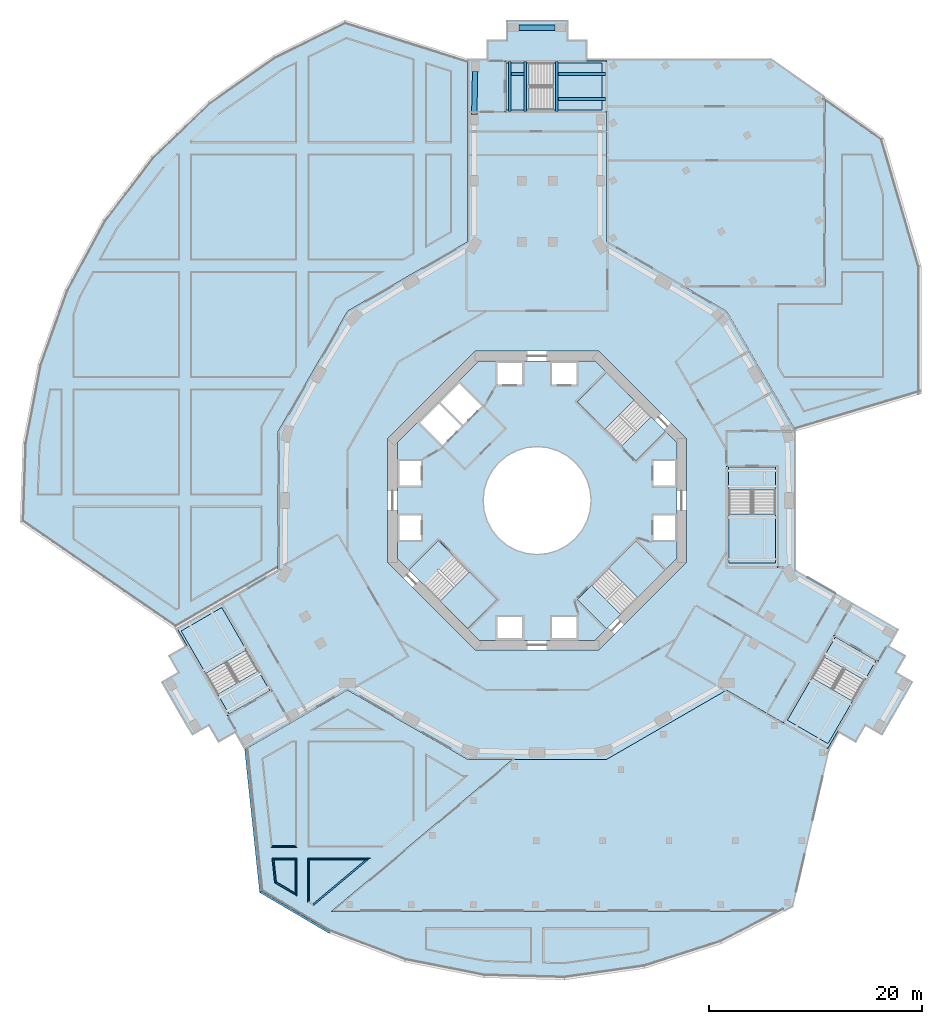
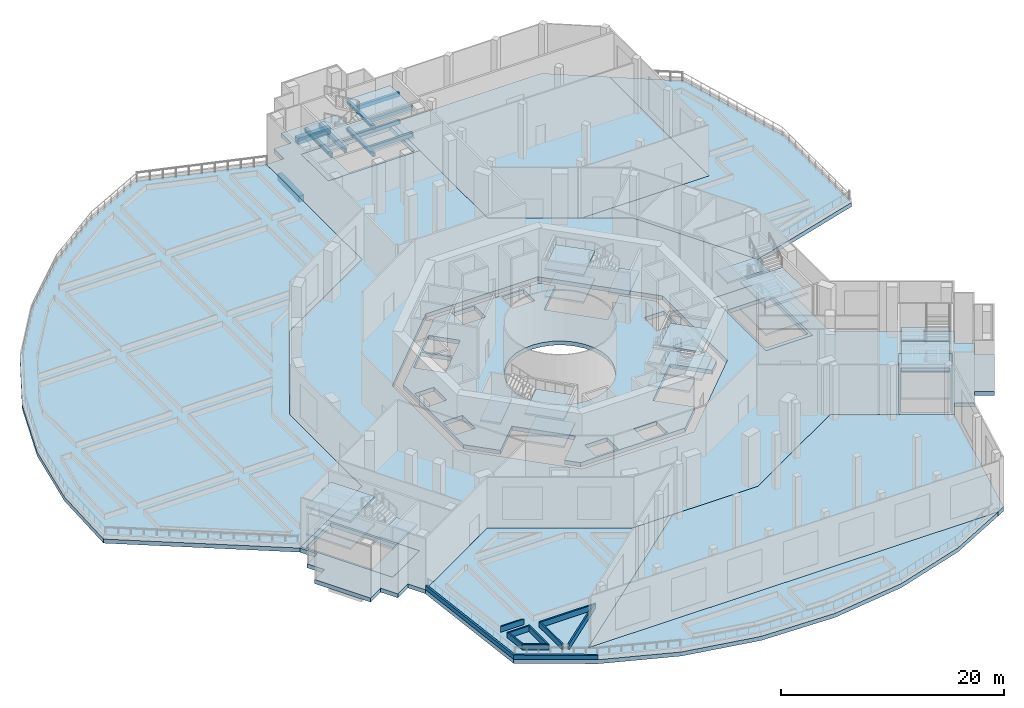
# One storey, part 2 of 29: 32 slabs, 11 beams, 10 walls, 7 elements without a shape of their own.
"""IFC4 building model written with IfcOpenShell, lengths in metres."""

from ifc_helpers import new_model, si_unit, direction, frame, origin, origin_2d, place, context, subcontext, project, spatial, polyline, rectangle, outline, extrude, material, layer, layer_set, material_profile, profile_set, type_object, element, aggregate, save


model = new_model("IFC4")

# Units and contexts
model_context = context("Model", 3, precision=1e-05, world=origin(), true_north=direction((0.0, 1.0)))
body_context = subcontext(model_context, "Body", "Model", "MODEL_VIEW")
ifc_project = project(units=[si_unit("LENGTHUNIT", "METRE"), si_unit("AREAUNIT", "SQUARE_METRE"), si_unit("VOLUMEUNIT", "CUBIC_METRE"), si_unit("PLANEANGLEUNIT", "RADIAN"), si_unit("MASSUNIT", "GRAM", prefix="KILO")], contexts=[model_context])

# Site, building, storey
site_placement = place(None, origin())
site = spatial("IfcSite", under=ifc_project, at=site_placement, CompositionType="ELEMENT")
building_placement = place(site_placement, origin())
building = spatial("IfcBuilding", under=site, at=building_placement, Name="Verdalira Terraces Hotel", CompositionType="ELEMENT")
storey_placement = place(building_placement, frame((0.0, 0.0, 8.0)))
storey = spatial("IfcBuildingStorey", under=building, at=storey_placement, Name="L01", CompositionType="ELEMENT", Elevation=8.0)

# Beams
ifc_material_1 = material(Name="Concrete C70", Category="concrete")
ifc_material_profile_1 = material_profile(ifc_material_1, rectangle(XDim=0.5, YDim=0.699951, at=origin_2d()), Name="RC 500X700")
ifc_profile_set_1 = profile_set([ifc_material_profile_1], Name="Concrete C70")
beam_type_1 = type_object("IfcBeamType", Name="Spandrel beam RC 500X700 C70", PredefinedType="SPANDREL", material=ifc_profile_set_1)
beam_1_placement = place(storey_placement, frame((1.699951, 44.300049, -0.800049), z_axis=(-1.0, 0.0, 0.0), x_axis=(0.0, -1.0, 0.0)))
element("IfcBeam", 1, at=beam_1_placement, inside=storey, type_object=beam_type_1, Name="Spandrel beam B03", PredefinedType="SPANDREL", context=body_context, shape_type="SweptSolid", body=[
    extrude(rectangle(XDim=0.5, YDim=0.699951, at=origin_2d()), origin(), (0.0, 0.0, 1.0), 3.399902),
])
beam_2_placement = place(storey_placement, frame((-5.810059, 40.192139, -0.800049), z_axis=(-0.019963048, -0.999800719, 0.0), x_axis=(0.999800719, -0.019963048, 0.0)))
element("IfcBeam", 2, at=beam_2_placement, inside=storey, type_object=beam_type_1, Name="Spandrel beam B04", PredefinedType="SPANDREL", context=body_context, shape_type="SweptSolid", body=[
    extrude(rectangle(XDim=0.5, YDim=0.699951, at=origin_2d()), origin(), (0.0, 0.0, 1.0), 3.999023),
])
ifc_material_2 = material(Name="Concrete C40", Category="concrete")
ifc_material_profile_2 = material_profile(ifc_material_2, rectangle(XDim=0.25, YDim=0.399902, at=origin_2d()), Name="RC 250X400")
ifc_profile_set_2 = profile_set([ifc_material_profile_2], Name="Concrete C40")
beam_type_2 = type_object("IfcBeamType", Name="Stair landing beam RC 250X400 Concrete C40", PredefinedType="BEAM", material=ifc_profile_set_2)
beam_3_placement = place(storey_placement, frame((1.837891, 36.469971, 1.100098), z_axis=(0.0, 1.0, 0.0), x_axis=(-1.0, 0.0, 0.0)))
element("IfcBeam", 3, at=beam_3_placement, inside=storey, type_object=beam_type_2, Name="Stair landing beam PS1-L01-1", PredefinedType="BEAM", context=body_context, shape_type="SweptSolid", body=[
    extrude(rectangle(XDim=0.25, YDim=0.399902, at=origin_2d()), origin(), (0.0, 0.0, 1.0), 4.659912),
])
for number, where, z_axis, x_axis, name in (
    (4, (1.982422, 39.975098, 1.100098), (1.0, 0.0, 0.0), (0.0, 1.0, 0.0), "Stair landing beam PS1-L01-2"),
    (5, (1.982422, 37.625, 1.100098), (1.0, 0.0, 0.0), (0.0, 1.0, 0.0), "Stair landing beam PS1-L01-3"),
):
    element("IfcBeam", number, at=place(storey_placement, frame(where, z_axis=z_axis, x_axis=x_axis)), inside=storey, type_object=beam_type_2, Name=name, PredefinedType="BEAM", context=body_context, shape_type="SweptSolid", body=[
        extrude(rectangle(XDim=0.25, YDim=0.399902, at=origin_2d()), origin(), (0.0, 0.0, 1.0), 4.44751),
    ])
for number, where, z_axis, x_axis, name in (
    (6, (-2.551514, 36.469971, 2.600098), (0.0, 1.0, 0.0), (-1.0, 0.0, 0.0), "Stair landing beam PS1-L01-4"),
    (7, (-1.0979, 36.469971, 2.600098), (0.0, 1.0, 0.0), (-1.0, 0.0, 0.0), "Stair landing beam PS1-L01-5"),
):
    element("IfcBeam", number, at=place(storey_placement, frame(where, z_axis=z_axis, x_axis=x_axis)), inside=storey, type_object=beam_type_2, Name=name, PredefinedType="BEAM", context=body_context, shape_type="SweptSolid", body=[
        extrude(rectangle(XDim=0.25, YDim=0.399902, at=origin_2d()), origin(), (0.0, 0.0, 1.0), 4.659912),
    ])
beam_4_placement = place(storey_placement, frame((-2.406982, 39.975098, 2.600098), z_axis=(1.0, 0.0, 0.0), x_axis=(0.0, 1.0, 0.0)))
element("IfcBeam", 8, at=beam_4_placement, inside=storey, type_object=beam_type_2, Name="Stair landing beam PS1-L01-6", PredefinedType="BEAM", context=body_context, shape_type="SweptSolid", body=[
    extrude(rectangle(XDim=0.25, YDim=0.399902, at=origin_2d()), origin(), (0.0, 0.0, 1.0), 1.164551),
])
beam_5_placement = place(storey_placement, frame((1.837891, 36.469971, 4.100098), z_axis=(0.0, 1.0, 0.0), x_axis=(-1.0, 0.0, 0.0)))
element("IfcBeam", 9, at=beam_5_placement, inside=storey, type_object=beam_type_2, Name="Stair landing beam PS1-L01-7", PredefinedType="BEAM", context=body_context, shape_type="SweptSolid", body=[
    extrude(rectangle(XDim=0.25, YDim=0.399902, at=origin_2d()), origin(), (0.0, 0.0, 1.0), 4.659912),
])
for number, where, z_axis, x_axis, name in (
    (10, (1.982422, 39.975098, 4.100098), (1.0, 0.0, 0.0), (0.0, 1.0, 0.0), "Stair landing beam PS1-L01-8"),
    (11, (1.982422, 37.625, 4.100098), (1.0, 0.0, 0.0), (0.0, 1.0, 0.0), "Stair landing beam PS1-L01-9"),
):
    element("IfcBeam", number, at=place(storey_placement, frame(where, z_axis=z_axis, x_axis=x_axis)), inside=storey, type_object=beam_type_2, Name=name, PredefinedType="BEAM", context=body_context, shape_type="SweptSolid", body=[
        extrude(rectangle(XDim=0.25, YDim=0.399902, at=origin_2d()), origin(), (0.0, 0.0, 1.0), 4.44751),
    ])

# Slab
ifc_material_3 = material(Name="Concrete C40", Category="concrete")
ifc_layer_1 = layer(ifc_material_3, 0.449951171875)
ifc_layer_set_1 = layer_set([ifc_layer_1], Name="Core floor slab 450 mm")
slab_type_1 = type_object("IfcSlabType", Name="Core floor slab 450 mm", PredefinedType="FLOOR", material=ifc_layer_set_1)
slab_1_placement = place(storey_placement, frame((0.0, 0.0, -0.449951)))
element("IfcSlab", 12, at=slab_1_placement, inside=storey, type_object=slab_type_1, Name="L01 core floor", PredefinedType="FLOOR", context=body_context, shape_type="SweptSolid", body=[
    extrude(outline(polyline([(-5.42627, 13.100098), (5.42627, 13.100098), (6.491211, 12.034912), (3.719482, 9.263184), (7.905029, 5.077393), (10.677002, 7.849121), (13.100098, 5.42627), (13.100098, -5.42627), (12.034912, -6.491211), (9.263184, -3.719482), (5.077393, -7.905029), (7.849121, -10.677002), (5.42627, -13.100098), (-5.42627, -13.100098), (-6.491211, -12.034912), (-3.719482, -9.263184), (-7.905029, -5.077393), (-10.677002, -7.849121), (-13.100098, -5.42627), (-13.100098, 5.42627), (-5.42627, 13.100098)]), holes=[polyline([(12.899902, -3.699951), (12.899902, -1.399902), (10.899902, -1.399902), (10.899902, -3.699951), (12.899902, -3.699951)]), polyline([(12.899902, 1.399902), (12.899902, 3.699951), (10.899902, 3.699951), (10.899902, 1.399902), (12.899902, 1.399902)]), polyline([(1.399902, 10.899902), (3.699951, 10.899902), (3.699951, 12.899902), (1.399902, 12.899902), (1.399902, 10.899902)]), polyline([(-3.699951, 10.899902), (-1.399902, 10.899902), (-1.399902, 12.899902), (-3.699951, 12.899902), (-3.699951, 10.899902)]), polyline([(-12.899902, 3.699951), (-12.899902, 1.399902), (-10.899902, 1.399902), (-10.899902, 3.699951), (-12.899902, 3.699951)]), polyline([(-12.899902, -1.399902), (-12.899902, -3.699951), (-10.899902, -3.699951), (-10.899902, -1.399902), (-12.899902, -1.399902)]), polyline([(-1.399902, -10.899902), (-3.699951, -10.899902), (-3.699951, -12.899902), (-1.399902, -12.899902), (-1.399902, -10.899902)]), polyline([(3.699951, -10.899902), (1.399902, -10.899902), (1.399902, -12.899902), (3.699951, -12.899902), (3.699951, -10.899902)]), polyline([(-9.051025, 9.192383), (-6.965088, 7.106445), (-5.197266, 8.874268), (-7.283203, 10.960205), (-9.051025, 9.192383)]), polyline([(-9.192383, 9.051025), (-10.960205, 7.283203), (-8.874268, 5.197266), (-7.106445, 6.965088), (-9.192383, 9.051025)]), polyline([(3.5354, 3.5354), (2.777832, 4.157227), (1.91333, 4.619385), (0.975586, 4.903809), (0.0, 5.0), (-0.975586, 4.903809), (-1.91333, 4.619385), (-2.777832, 4.157227), (-3.5354, 3.5354), (-4.157227, 2.777832), (-4.619385, 1.91333), (-4.903809, 0.975586), (-5.0, 0.0), (-4.903809, -0.975586), (-4.619385, -1.91333), (-4.157227, -2.777832), (-3.5354, -3.5354), (-2.777832, -4.157227), (-1.91333, -4.619385), (-0.975586, -4.903809), (0.0, -5.0), (0.975586, -4.903809), (1.91333, -4.619385), (2.777832, -4.157227), (3.5354, -3.5354), (4.157227, -2.777832), (4.619385, -1.91333), (4.903809, -0.975586), (5.0, 0.0), (4.903809, 0.975586), (4.619385, 1.91333), (4.157227, 2.777832), (3.5354, 3.5354)])]), origin(), (0.0, 0.0, 1.0), 0.449951),
])

# Stair, slabs
ifc_material_4 = material(Name="Concrete C40", Category="concrete")
stair_type_1 = type_object("IfcStairType", Name="Core stair 36 risers 1900 mm wide", PredefinedType="HALF_TURN_STAIR", material=ifc_material_4)
stair_1_placement = place(storey_placement, origin())
stair_1 = element("IfcStair", 13, at=stair_1_placement, inside=storey, type_object=stair_type_1, Name="L01 Exit stair ST1", PredefinedType="HALF_TURN_STAIR")
ifc_material_5 = material(Name="Concrete C40", Category="concrete")
ifc_layer_2 = layer(ifc_material_5, 0.199951171875)
ifc_layer_set_2 = layer_set([ifc_layer_2], Name="Core stair landing 200 mm")
slab_type_2 = type_object("IfcSlabType", Name="Core stair landing 200 mm", PredefinedType="LANDING", material=ifc_layer_set_2)
slab_2_placement = place(storey_placement, frame((0.0, 0.0, 1.300049)))
slab_2 = element("IfcSlab", 14, at=slab_2_placement, type_object=slab_type_2, Name="ST1 landing 1", PredefinedType="LANDING", context=body_context, shape_type="SweptSolid", body=[
    extrude(outline(polyline([(9.09375, 9.432373), (6.505371, 12.020752), (3.747559, 9.263184), (6.335938, 6.674805), (9.09375, 9.432373)])), origin(), (0.0, 0.0, 1.0), 0.199951),
])
slab_3_placement = place(storey_placement, frame((0.0, 0.0, 2.800049)))
slab_3 = element("IfcSlab", 15, at=slab_3_placement, type_object=slab_type_2, Name="ST1 landing 2", PredefinedType="LANDING", context=body_context, shape_type="SweptSolid", body=[
    extrude(outline(polyline([(12.020752, 6.505371), (10.677002, 7.849121), (7.919189, 5.091553), (9.263184, 3.747559), (12.020752, 6.505371)])), origin(), (0.0, 0.0, 1.0), 0.199951),
])
slab_4_placement = place(storey_placement, frame((0.0, 0.0, 4.300049)))
slab_4 = element("IfcSlab", 16, at=slab_4_placement, type_object=slab_type_2, Name="ST1 landing 3", PredefinedType="LANDING", context=body_context, shape_type="SweptSolid", body=[
    extrude(outline(polyline([(9.09375, 9.432373), (6.505371, 12.020752), (3.747559, 9.263184), (6.335938, 6.674805), (9.09375, 9.432373)])), origin(), (0.0, 0.0, 1.0), 0.199951),
])
aggregate(stair_1, [slab_2, slab_3, slab_4])

stair_2_placement = place(storey_placement, origin())
stair_2 = element("IfcStair", 17, at=stair_2_placement, inside=storey, type_object=stair_type_1, Name="L01 Exit stair ST2", PredefinedType="HALF_TURN_STAIR")
slab_5_placement = place(storey_placement, frame((0.0, 0.0, 1.300049)))
slab_5 = element("IfcSlab", 18, at=slab_5_placement, type_object=slab_type_2, Name="ST2 landing 1", PredefinedType="LANDING", context=body_context, shape_type="SweptSolid", body=[
    extrude(outline(polyline([(-9.09375, -9.432373), (-6.505371, -12.020752), (-3.747559, -9.263184), (-6.335938, -6.674805), (-9.09375, -9.432373)])), origin(), (0.0, 0.0, 1.0), 0.199951),
])
slab_6_placement = place(storey_placement, frame((0.0, 0.0, 2.800049)))
slab_6 = element("IfcSlab", 19, at=slab_6_placement, type_object=slab_type_2, Name="ST2 landing 2", PredefinedType="LANDING", context=body_context, shape_type="SweptSolid", body=[
    extrude(outline(polyline([(-12.020752, -6.505371), (-10.677002, -7.849121), (-7.919189, -5.091553), (-9.263184, -3.747559), (-12.020752, -6.505371)])), origin(), (0.0, 0.0, 1.0), 0.199951),
])
slab_7_placement = place(storey_placement, frame((0.0, 0.0, 4.300049)))
slab_7 = element("IfcSlab", 20, at=slab_7_placement, type_object=slab_type_2, Name="ST2 landing 3", PredefinedType="LANDING", context=body_context, shape_type="SweptSolid", body=[
    extrude(outline(polyline([(-9.09375, -9.432373), (-6.505371, -12.020752), (-3.747559, -9.263184), (-6.335938, -6.674805), (-9.09375, -9.432373)])), origin(), (0.0, 0.0, 1.0), 0.199951),
])
aggregate(stair_2, [slab_5, slab_6, slab_7])

stair_3_placement = place(storey_placement, origin())
stair_3 = element("IfcStair", 21, at=stair_3_placement, inside=storey, type_object=stair_type_1, Name="L01 Exit stair ST3", PredefinedType="HALF_TURN_STAIR")
slab_8_placement = place(storey_placement, frame((0.0, 0.0, 1.300049)))
slab_8 = element("IfcSlab", 22, at=slab_8_placement, type_object=slab_type_2, Name="ST3 landing 1", PredefinedType="LANDING", context=body_context, shape_type="SweptSolid", body=[
    extrude(outline(polyline([(9.432373, -9.09375), (12.020752, -6.505371), (9.263184, -3.747559), (6.674805, -6.335938), (9.432373, -9.09375)])), origin(), (0.0, 0.0, 1.0), 0.199951),
])
slab_9_placement = place(storey_placement, frame((0.0, 0.0, 2.800049)))
slab_9 = element("IfcSlab", 23, at=slab_9_placement, type_object=slab_type_2, Name="ST3 landing 2", PredefinedType="LANDING", context=body_context, shape_type="SweptSolid", body=[
    extrude(outline(polyline([(6.505371, -12.020752), (7.849121, -10.677002), (5.091553, -7.919189), (3.747559, -9.263184), (6.505371, -12.020752)])), origin(), (0.0, 0.0, 1.0), 0.199951),
])
slab_10_placement = place(storey_placement, frame((0.0, 0.0, 4.300049)))
slab_10 = element("IfcSlab", 24, at=slab_10_placement, type_object=slab_type_2, Name="ST3 landing 3", PredefinedType="LANDING", context=body_context, shape_type="SweptSolid", body=[
    extrude(outline(polyline([(9.432373, -9.09375), (12.020752, -6.505371), (9.263184, -3.747559), (6.674805, -6.335938), (9.432373, -9.09375)])), origin(), (0.0, 0.0, 1.0), 0.199951),
])
aggregate(stair_3, [slab_8, slab_9, slab_10])

# Slab
ifc_material_6 = material(Name="Concrete C40", Category="concrete")
ifc_layer_3 = layer(ifc_material_6, 0.449951171875)
ifc_layer_set_3 = layer_set([ifc_layer_3], Name="Floor slab 450 C40")
slab_type_3 = type_object("IfcSlabType", Name="Floor slab 450 C40", PredefinedType="FLOOR", material=ifc_layer_set_3)
slab_11_placement = place(storey_placement, frame((0.0, 0.0, -0.449951)))
element("IfcSlab", 25, at=slab_11_placement, inside=storey, type_object=slab_type_3, Name="Floor slab L01", PredefinedType="FLOOR", context=body_context, shape_type="SweptSolid", body=[
    extrude(outline(polyline([(33.007324, -13.629639), (33.907227, -12.070801), (24.258301, -6.5), (24.258301, 6.5), (17.758301, 17.758301), (6.5, 24.258301), (6.5, 36.399414), (-3.000488, 36.399414), (-3.000488, 41.200439), (6.5, 41.200439), (6.5, 41.399902), (4.699951, 41.399902), (4.699951, 43.199951), (2.899902, 43.199951), (2.899902, 45.0), (-2.899902, 45.0), (-2.899902, 43.199951), (-4.699951, 43.199951), (-4.699951, 41.399902), (-6.5, 41.399902), (-6.5, 24.258301), (-17.758301, 17.758301), (-24.258301, 6.5), (-24.258301, -6.5), (-29.57666, -9.570557), (-24.826416, -17.79834), (-28.984375, -20.19873), (-33.734619, -11.971191), (-33.907227, -12.070801), (-33.007324, -13.629639), (-34.566162, -14.529785), (-33.666016, -16.088379), (-35.225098, -16.988525), (-32.324951, -22.011475), (-30.766113, -21.111572), (-29.866211, -22.67041), (-28.307373, -21.770264), (-27.407227, -23.329102), (-17.758301, -17.758301), (-6.5, -24.258301), (6.5, -24.258301), (17.758301, -17.758301), (23.07666, -20.828857), (27.826904, -12.601318), (31.984863, -15.001709), (27.234619, -23.229492), (27.407227, -23.329102), (28.307373, -21.770264), (29.866211, -22.67041), (30.766113, -21.111572), (32.324951, -22.011475), (35.225098, -16.988525), (33.666016, -16.088379), (34.566162, -14.529785), (33.007324, -13.629639)]), holes=[polyline([(-5.799072, -14.0), (-14.0, -5.799072), (-14.0, 5.799072), (-5.799072, 14.0), (5.799072, 14.0), (14.0, 5.799072), (14.0, -5.799072), (5.799072, -14.0), (-5.799072, -14.0)]), polyline([(22.558838, -6.250488), (17.757812, -6.250488), (17.757812, 3.250488), (22.558838, 3.250488), (22.558838, -6.250488)])]), origin(), (0.0, 0.0, 1.0), 0.449951),
])

# Stair, slabs
ifc_material_7 = material(Name="Concrete C40", Category="concrete")
stair_type_2 = type_object("IfcStairType", Name="Podium stair 36 risers", PredefinedType="HALF_TURN_STAIR", material=ifc_material_7)
stair_4_placement = place(storey_placement, origin())
stair_4 = element("IfcStair", 26, at=stair_4_placement, inside=storey, type_object=stair_type_2, Name="L01 Exit stair PS1", PredefinedType="HALF_TURN_STAIR")
ifc_material_8 = material(Name="Concrete C40", Category="concrete")
ifc_layer_4 = layer(ifc_material_8, 0.199951171875)
ifc_layer_set_4 = layer_set([ifc_layer_4], Name="Podium stair landing 200 mm")
slab_type_4 = type_object("IfcSlabType", Name="Podium stair landing 200 mm", PredefinedType="LANDING", material=ifc_layer_set_4)
slab_12_placement = place(storey_placement, frame((0.0, 0.0, 1.300049)))
slab_12 = element("IfcSlab", 27, at=slab_12_placement, type_object=slab_type_4, Name="PS1 landing 1", PredefinedType="LANDING", context=body_context, shape_type="SweptSolid", body=[
    extrude(outline(polyline([(6.101562, 41.001465), (1.488037, 41.001465), (1.488037, 36.598389), (6.101562, 36.598389), (6.101562, 41.001465)])), origin(), (0.0, 0.0, 1.0), 0.199951),
])
slab_13_placement = place(storey_placement, frame((0.0, 0.0, 2.800049)))
slab_13 = element("IfcSlab", 28, at=slab_13_placement, type_object=slab_type_4, Name="PS1 landing 2", PredefinedType="LANDING", context=body_context, shape_type="SweptSolid", body=[
    extrude(outline(polyline([(-2.901611, 41.001465), (-2.901611, 36.598389), (-0.748047, 36.598389), (-0.748047, 41.001465), (-2.901611, 41.001465)])), origin(), (0.0, 0.0, 1.0), 0.199951),
])
slab_14_placement = place(storey_placement, frame((0.0, 0.0, 4.300049)))
slab_14 = element("IfcSlab", 29, at=slab_14_placement, type_object=slab_type_4, Name="PS1 landing 3", PredefinedType="LANDING", context=body_context, shape_type="SweptSolid", body=[
    extrude(outline(polyline([(6.101562, 41.001465), (1.488037, 41.001465), (1.488037, 36.598389), (6.101562, 36.598389), (6.101562, 41.001465)])), origin(), (0.0, 0.0, 1.0), 0.199951),
])
aggregate(stair_4, [slab_12, slab_13, slab_14])

stair_5_placement = place(storey_placement, origin())
stair_5 = element("IfcStair", 30, at=stair_5_placement, inside=storey, type_object=stair_type_2, Name="L01 Exit stair PS2", PredefinedType="HALF_TURN_STAIR")
slab_15_placement = place(storey_placement, frame((0.0, 0.0, 1.300049)))
slab_15 = element("IfcSlab", 31, at=slab_15_placement, type_object=slab_type_4, Name="PS2 landing 1", PredefinedType="LANDING", context=body_context, shape_type="SweptSolid", body=[
    extrude(outline(polyline([(-33.362793, -12.216797), (-31.056152, -16.212158), (-27.243164, -14.010498), (-29.549805, -10.015137), (-33.362793, -12.216797)])), origin(), (0.0, 0.0, 1.0), 0.199951),
])
slab_16_placement = place(storey_placement, frame((0.0, 0.0, 2.800049)))
slab_16 = element("IfcSlab", 32, at=slab_16_placement, type_object=slab_type_4, Name="PS2 landing 2", PredefinedType="LANDING", context=body_context, shape_type="SweptSolid", body=[
    extrude(outline(polyline([(-28.861328, -20.013428), (-25.04834, -17.812012), (-26.125, -15.947021), (-29.938232, -18.148438), (-28.861328, -20.013428)])), origin(), (0.0, 0.0, 1.0), 0.199951),
])
slab_17_placement = place(storey_placement, frame((0.0, 0.0, 4.300049)))
slab_17 = element("IfcSlab", 33, at=slab_17_placement, type_object=slab_type_4, Name="PS2 landing 3", PredefinedType="LANDING", context=body_context, shape_type="SweptSolid", body=[
    extrude(outline(polyline([(-33.362793, -12.216797), (-31.056152, -16.212158), (-27.243164, -14.010498), (-29.549805, -10.015137), (-33.362793, -12.216797)])), origin(), (0.0, 0.0, 1.0), 0.199951),
])
aggregate(stair_5, [slab_15, slab_16, slab_17])

stair_6_placement = place(storey_placement, origin())
stair_6 = element("IfcStair", 34, at=stair_6_placement, inside=storey, type_object=stair_type_2, Name="L01 Exit stair PS3", PredefinedType="HALF_TURN_STAIR")
slab_18_placement = place(storey_placement, frame((0.0, 0.0, 1.300049)))
slab_18 = element("IfcSlab", 35, at=slab_18_placement, type_object=slab_type_4, Name="PS3 landing 1", PredefinedType="LANDING", context=body_context, shape_type="SweptSolid", body=[
    extrude(outline(polyline([(27.261475, -22.784912), (29.568115, -18.789307), (25.755127, -16.587891), (23.448242, -20.583252), (27.261475, -22.784912)])), origin(), (0.0, 0.0, 1.0), 0.199951),
])
slab_19_placement = place(storey_placement, frame((0.0, 0.0, 2.800049)))
slab_19 = element("IfcSlab", 36, at=slab_19_placement, type_object=slab_type_4, Name="PS3 landing 2", PredefinedType="LANDING", context=body_context, shape_type="SweptSolid", body=[
    extrude(outline(polyline([(31.762939, -14.988037), (27.949707, -12.786621), (26.873047, -14.651611), (30.686279, -16.853027), (31.762939, -14.988037)])), origin(), (0.0, 0.0, 1.0), 0.199951),
])
slab_20_placement = place(storey_placement, frame((0.0, 0.0, 4.300049)))
slab_20 = element("IfcSlab", 37, at=slab_20_placement, type_object=slab_type_4, Name="PS3 landing 3", PredefinedType="LANDING", context=body_context, shape_type="SweptSolid", body=[
    extrude(outline(polyline([(27.261475, -22.784912), (29.568115, -18.789307), (25.755127, -16.587891), (23.448242, -20.583252), (27.261475, -22.784912)])), origin(), (0.0, 0.0, 1.0), 0.199951),
])
aggregate(stair_6, [slab_18, slab_19, slab_20])

stair_7_placement = place(storey_placement, origin())
stair_7 = element("IfcStair", 38, at=stair_7_placement, inside=storey, type_object=stair_type_2, Name="L01 Exit stair PS4", PredefinedType="HALF_TURN_STAIR")
slab_21_placement = place(storey_placement, frame((0.0, 0.0, 1.300049)))
slab_21 = element("IfcSlab", 39, at=slab_21_placement, type_object=slab_type_4, Name="PS4 landing 1", PredefinedType="LANDING", context=body_context, shape_type="SweptSolid", body=[
    extrude(outline(polyline([(22.359863, -5.851562), (22.359863, -1.238037), (17.956787, -1.238037), (17.956787, -5.851562), (22.359863, -5.851562)])), origin(), (0.0, 0.0, 1.0), 0.199951),
])
slab_22_placement = place(storey_placement, frame((0.0, 0.0, 2.800049)))
slab_22 = element("IfcSlab", 40, at=slab_22_placement, type_object=slab_type_4, Name="PS4 landing 2", PredefinedType="LANDING", context=body_context, shape_type="SweptSolid", body=[
    extrude(outline(polyline([(22.359863, 3.151611), (17.956787, 3.151611), (17.956787, 0.998047), (22.359863, 0.998047), (22.359863, 3.151611)])), origin(), (0.0, 0.0, 1.0), 0.199951),
])
slab_23_placement = place(storey_placement, frame((0.0, 0.0, 4.300049)))
slab_23 = element("IfcSlab", 41, at=slab_23_placement, type_object=slab_type_4, Name="PS4 landing 3", PredefinedType="LANDING", context=body_context, shape_type="SweptSolid", body=[
    extrude(outline(polyline([(22.359863, -5.851562), (22.359863, -1.238037), (17.956787, -1.238037), (17.956787, -5.851562), (22.359863, -5.851562)])), origin(), (0.0, 0.0, 1.0), 0.199951),
])
aggregate(stair_7, [slab_21, slab_22, slab_23])

# Slabs
ifc_material_9 = material(Name="Concrete C40", Category="concrete")
ifc_layer_5 = layer(ifc_material_9, 0.449951171875)
ifc_layer_set_5 = layer_set([ifc_layer_5], Name="Stair enclosure floor slab 450 mm")
slab_type_5 = type_object("IfcSlabType", Name="Stair enclosure floor slab 450 mm", PredefinedType="FLOOR", material=ifc_layer_set_5)
slab_24_placement = place(storey_placement, frame((0.0, 0.0, -0.449951)))
element("IfcSlab", 42, at=slab_24_placement, inside=storey, type_object=slab_type_5, Name="Stair PS1 floor slab", PredefinedType="FLOOR", context=body_context, shape_type="SweptSolid", body=[
    extrude(outline(polyline([(-2.999512, 36.400391), (-2.999512, 41.199463), (6.5, 41.199463), (6.5, 36.400391), (-2.999512, 36.400391)]), holes=[polyline([(-0.746094, 40.996094), (-0.746094, 36.604004), (6.095947, 36.604004), (6.095947, 40.996094), (-0.746094, 40.996094)])]), origin(), (0.0, 0.0, 1.0), 0.449951),
])
slab_25_placement = place(storey_placement, frame((0.0, 0.0, -0.449951)))
element("IfcSlab", 43, at=slab_25_placement, inside=storey, type_object=slab_type_5, Name="Stair PS2 floor slab", PredefinedType="FLOOR", context=body_context, shape_type="SweptSolid", body=[
    extrude(outline(polyline([(-24.827881, -17.797852), (-28.983887, -20.19751), (-33.733643, -11.970703), (-29.577637, -9.571045), (-24.827881, -17.797852)]), holes=[polyline([(-29.934326, -18.144043), (-26.130859, -15.947998), (-29.551758, -10.022705), (-33.355469, -12.21875), (-29.934326, -18.144043)])]), origin(), (0.0, 0.0, 1.0), 0.449951),
])
slab_26_placement = place(storey_placement, frame((0.0, 0.0, -0.449951)))
element("IfcSlab", 44, at=slab_26_placement, inside=storey, type_object=slab_type_5, Name="Stair PS3 floor slab", PredefinedType="FLOOR", context=body_context, shape_type="SweptSolid", body=[
    extrude(outline(polyline([(27.827393, -12.602539), (31.983398, -15.002197), (27.233643, -23.229004), (23.077637, -20.829346), (27.827393, -12.602539)]), holes=[polyline([(30.68042, -16.851807), (26.876709, -14.656006), (23.455811, -20.581299), (27.259521, -22.777344), (30.68042, -16.851807)])]), origin(), (0.0, 0.0, 1.0), 0.449951),
])
slab_27_placement = place(storey_placement, frame((0.0, 0.0, -0.449951)))
element("IfcSlab", 45, at=slab_27_placement, inside=storey, type_object=slab_type_5, Name="Stair PS4 floor slab", PredefinedType="FLOOR", context=body_context, shape_type="SweptSolid", body=[
    extrude(outline(polyline([(17.758789, 3.249512), (22.557861, 3.249512), (22.557861, -6.249512), (17.758789, -6.249512), (17.758789, 3.249512)]), holes=[polyline([(22.354248, 0.996094), (17.962402, 0.996094), (17.962402, -5.845947), (22.354248, -5.845947), (22.354248, 0.996094)])]), origin(), (0.0, 0.0, 1.0), 0.449951),
])
ifc_material_10 = material(Name="Concrete C40", Category="concrete")
ifc_layer_6 = layer(ifc_material_10, 0.449951171875)
ifc_layer_set_6 = layer_set([ifc_layer_6], Name="Terrace slab with planting beds 450 mm")
slab_type_6 = type_object("IfcSlabType", Name="Terrace slab with planting beds 450 mm", PredefinedType="ROOF", material=ifc_layer_set_6)
slab_28_placement = place(storey_placement, frame((0.0, 0.0, -0.449951)))
element("IfcSlab", 46, at=slab_28_placement, inside=storey, type_object=slab_type_6, Name="Terrace slab with planting beds", PredefinedType="ROOF", context=body_context, shape_type="SweptSolid", body=[
    extrude(outline(polyline([(-48.196777, 5.415527), (-46.794434, 12.748535), (-44.283447, 19.779541), (-40.723145, 26.341553), (-36.197754, 32.279541), (-30.814697, 37.452637), (-24.701416, 41.738281), (-18.002686, 45.034912), (-6.5, 41.399902), (-6.5, 24.258301), (-17.758301, 17.758301), (-24.258301, 6.5), (-24.258301, -6.5), (-33.907227, -12.070801), (-48.456787, -2.045654), (-48.196777, 5.415527)])), origin(), (0.0, 0.0, 1.0), 0.449951),
])
slab_29_placement = place(storey_placement, frame((0.0, 0.0, -0.449951)))
element("IfcSlab", 47, at=slab_29_placement, inside=storey, type_object=slab_type_6, Name="Terrace slab with planting beds", PredefinedType="ROOF", context=body_context, shape_type="SweptSolid", body=[
    extrude(outline(polyline([(10.075195, -43.857666), (2.58374, -44.925781), (-4.980957, -44.723389), (-12.404785, -43.256592), (-19.477783, -40.566162), (-26.0, -36.72876), (-27.407227, -23.329102), (-17.758301, -17.758301), (-6.5, -24.258301), (-2.307861, -24.258301), (-19.280518, -38.5), (23.162598, -38.5), (17.281982, -41.549072), (10.075195, -43.857666)])), origin(), (0.0, 0.0, 1.0), 0.449951),
])
slab_30_placement = place(storey_placement, frame((0.0, 0.0, -0.449951)))
element("IfcSlab", 48, at=slab_30_placement, inside=storey, type_object=slab_type_6, Name="Terrace slab with planting beds", PredefinedType="ROOF", context=body_context, shape_type="SweptSolid", body=[
    extrude(outline(polyline([(36.0, 22.0), (36.0, 10.0), (24.258301, 6.5), (17.758301, 17.758301), (13.875488, 20.0), (27.0, 20.0), (27.0, 37.876221), (32.5, 34.0), (36.0, 22.0)])), origin(), (0.0, 0.0, 1.0), 0.449951),
])
ifc_material_11 = material(Name="Concrete C40", Category="concrete")
ifc_layer_7 = layer(ifc_material_11, 0.449951171875)
ifc_layer_set_7 = layer_set([ifc_layer_7], Name="Wing floor slab 450 mm")
slab_type_7 = type_object("IfcSlabType", Name="Wing floor slab 450 mm", PredefinedType="FLOOR", material=ifc_layer_set_7)
slab_31_placement = place(storey_placement, frame((0.0, 0.0, -0.449951)))
element("IfcSlab", 49, at=slab_31_placement, inside=storey, type_object=slab_type_7, Name="Wing floor slab", PredefinedType="FLOOR", context=body_context, shape_type="SweptSolid", body=[
    extrude(outline(polyline([(6.5, -24.258301), (17.758301, -17.758301), (27.407227, -23.329102), (24.0, -38.065674), (23.162598, -38.5), (-19.280518, -38.5), (-2.307861, -24.258301), (6.5, -24.258301)])), origin(), (0.0, 0.0, 1.0), 0.449951),
])
slab_32_placement = place(storey_placement, frame((0.0, 0.0, -0.449951)))
element("IfcSlab", 50, at=slab_32_placement, inside=storey, type_object=slab_type_7, Name="Wing floor slab", PredefinedType="FLOOR", context=body_context, shape_type="SweptSolid", body=[
    extrude(outline(polyline([(27.0, 37.876221), (27.0, 20.0), (13.875488, 20.0), (6.5, 24.258301), (6.5, 41.399902), (22.0, 41.399902), (27.0, 37.876221)])), origin(), (0.0, 0.0, 1.0), 0.449951),
])

# Walls
ifc_material_12 = material(Name="Concrete C40", Category="concrete")
ifc_layer_8 = layer(ifc_material_12, 0.14990234375)
ifc_layer_set_8 = layer_set([ifc_layer_8], Name="Terrace planter trough 150 x 600")
wall_type_1 = type_object("IfcWallType", Name="Terrace planter trough 150 x 600", PredefinedType="SOLIDWALL", material=ifc_layer_set_8)
wall_1_placement = place(storey_placement, origin())
element("IfcWall", 51, at=wall_1_placement, inside=storey, type_object=wall_type_1, Name="Terrace planting bed trough", PredefinedType="SOLIDWALL", context=body_context, shape_type="SweptSolid", body=[
    extrude(outline(polyline([(-20.961914, -37.952637), (-15.655273, -33.5), (-16.067383, -33.649902), (-20.977051, -37.769775), (-20.961914, -37.952637)])), origin(), (0.0, 0.0, 1.0), 0.600098),
])
wall_2_placement = place(storey_placement, origin())
element("IfcWall", 52, at=wall_2_placement, inside=storey, type_object=wall_type_1, Name="Terrace planting bed trough", PredefinedType="SOLIDWALL", context=body_context, shape_type="SweptSolid", body=[
    extrude(outline(polyline([(-15.655273, -33.5), (-21.5, -33.5), (-21.350098, -33.649902), (-16.067383, -33.649902), (-15.655273, -33.5)])), origin(), (0.0, 0.0, 1.0), 0.600098),
])
wall_3_placement = place(storey_placement, origin())
element("IfcWall", 53, at=wall_3_placement, inside=storey, type_object=wall_type_1, Name="Terrace planting bed trough", PredefinedType="SOLIDWALL", context=body_context, shape_type="SweptSolid", body=[
    extrude(outline(polyline([(-21.5, -33.5), (-21.5, -37.635986), (-21.350098, -37.550293), (-21.350098, -33.649902), (-21.5, -33.5)])), origin(), (0.0, 0.0, 1.0), 0.600098),
])
wall_4_placement = place(storey_placement, origin())
element("IfcWall", 54, at=wall_4_placement, inside=storey, type_object=wall_type_1, Name="Terrace planting bed trough", PredefinedType="SOLIDWALL", context=body_context, shape_type="SweptSolid", body=[
    extrude(outline(polyline([(-24.587158, -35.81958), (-22.5, -37.047607), (-22.649902, -36.7854), (-24.446045, -35.72876), (-24.587158, -35.81958)])), origin(), (0.0, 0.0, 1.0), 0.600098),
])
wall_5_placement = place(storey_placement, origin())
element("IfcWall", 55, at=wall_5_placement, inside=storey, type_object=wall_type_1, Name="Terrace planting bed trough", PredefinedType="SOLIDWALL", context=body_context, shape_type="SweptSolid", body=[
    extrude(outline(polyline([(-22.5, -37.047607), (-22.5, -33.5), (-22.649902, -33.649902), (-22.649902, -36.7854), (-22.5, -37.047607)])), origin(), (0.0, 0.0, 1.0), 0.600098),
])
wall_6_placement = place(storey_placement, origin())
element("IfcWall", 56, at=wall_6_placement, inside=storey, type_object=wall_type_1, Name="Terrace planting bed trough", PredefinedType="SOLIDWALL", context=body_context, shape_type="SweptSolid", body=[
    extrude(outline(polyline([(-22.5, -33.5), (-24.830811, -33.5), (-24.664307, -33.649902), (-22.649902, -33.649902), (-22.5, -33.5)])), origin(), (0.0, 0.0, 1.0), 0.600098),
])
wall_7_placement = place(storey_placement, origin())
element("IfcWall", 57, at=wall_7_placement, inside=storey, type_object=wall_type_1, Name="Terrace planting bed trough", PredefinedType="SOLIDWALL", context=body_context, shape_type="SweptSolid", body=[
    extrude(outline(polyline([(-24.830811, -33.5), (-24.587158, -35.81958), (-24.446045, -35.72876), (-24.664307, -33.649902), (-24.830811, -33.5)])), origin(), (0.0, 0.0, 1.0), 0.600098),
])
wall_8_placement = place(storey_placement, origin())
element("IfcWall", 58, at=wall_8_placement, inside=storey, type_object=wall_type_1, Name="Terrace planting bed trough", PredefinedType="SOLIDWALL", context=body_context, shape_type="SweptSolid", body=[
    extrude(outline(polyline([(-24.935791, -32.5), (-22.5, -32.5), (-22.649902, -32.350098), (-24.800781, -32.350098), (-24.935791, -32.5)])), origin(), (0.0, 0.0, 1.0), 0.600098),
])
ifc_material_13 = material(Name="Concrete C40", Category="concrete")
ifc_layer_9 = layer(ifc_material_13, 0.199951171875)
ifc_layer_set_9 = layer_set([ifc_layer_9], Name="Terrace upstand 200 x 450")
wall_type_2 = type_object("IfcWallType", Name="Terrace upstand 200 x 450", PredefinedType="SOLIDWALL", material=ifc_layer_set_9)
wall_9_placement = place(storey_placement, origin())
element("IfcWall", 59, at=wall_9_placement, inside=storey, type_object=wall_type_2, Name="Terrace upstand", PredefinedType="SOLIDWALL", context=body_context, shape_type="SweptSolid", body=[
    extrude(outline(polyline([(-27.208496, -23.30835), (-27.407227, -23.329102), (-26.0, -36.72876), (-25.811523, -36.607422), (-27.208496, -23.30835)])), origin(), (0.0, 0.0, 1.0), 0.449951),
])
wall_10_placement = place(storey_placement, origin())
element("IfcWall", 60, at=wall_10_placement, inside=storey, type_object=wall_type_2, Name="Terrace upstand", PredefinedType="SOLIDWALL", context=body_context, shape_type="SweptSolid", body=[
    extrude(outline(polyline([(-25.811523, -36.607422), (-26.0, -36.72876), (-19.477783, -40.566162), (-19.390869, -40.385254), (-25.811523, -36.607422)])), origin(), (0.0, 0.0, 1.0), 0.449951),
])

save(model, "model.ifc")
